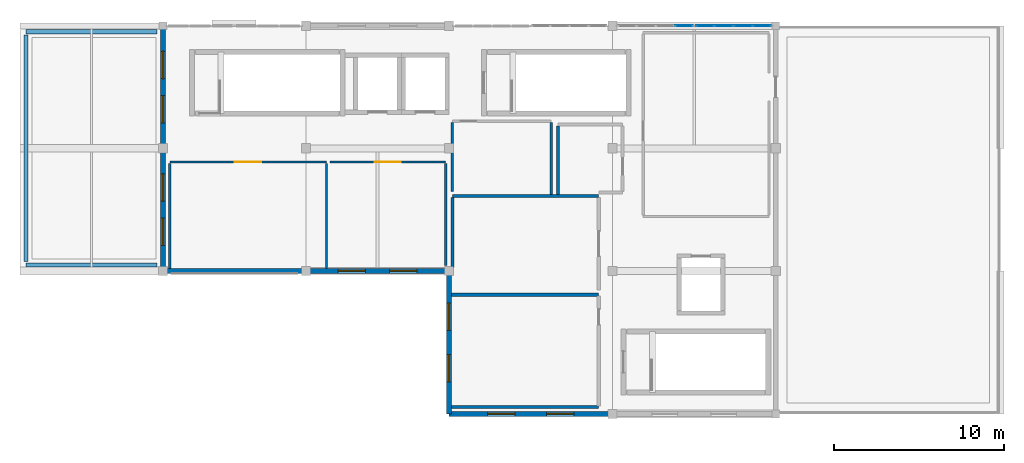
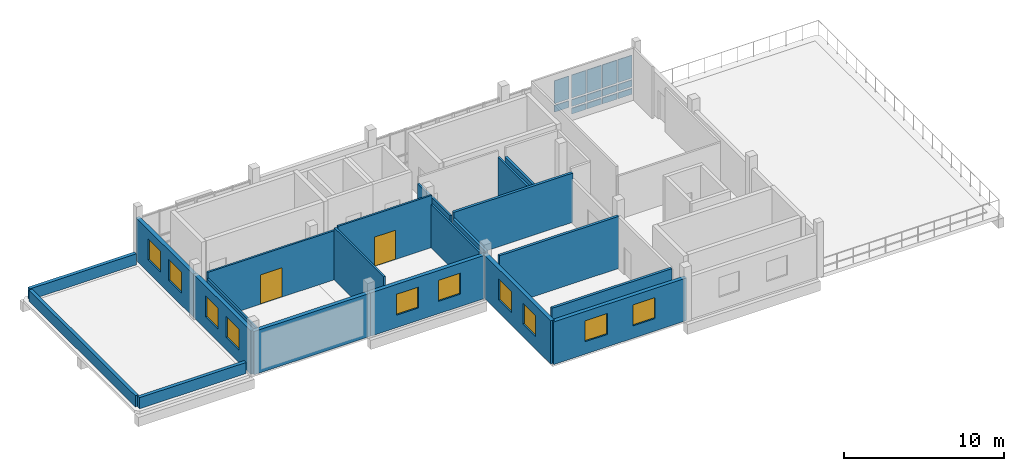
# One storey, part 8 of 11: 21 walls, 14 plates, 10 windows, 2 doors, 12 openings, 2 elements without a shape of their own.
"""IFC4 building model written with IfcOpenShell, lengths in metres."""

from ifc_helpers import new_model, si_unit, direction, frame, frame_2d, origin, origin_2d, place, context, subcontext, project, spatial, rectangle, extrude, material, layer, layer_set, type_object, element, fill, aggregate, save


model = new_model("IFC4")

# Units and contexts
model_context = context("Model", 3, precision=1e-05, world=origin(), true_north=direction((0.0, 1.0)))
body_context = subcontext(model_context, "Body", "Model", "MODEL_VIEW")
ifc_project = project(units=[si_unit("LENGTHUNIT", "METRE"), si_unit("AREAUNIT", "SQUARE_METRE"), si_unit("VOLUMEUNIT", "CUBIC_METRE"), si_unit("PLANEANGLEUNIT", "RADIAN"), si_unit("MASSUNIT", "GRAM", prefix="KILO")], contexts=[model_context])

# Site, building, storey
site_placement = place(None, origin())
site = spatial("IfcSite", under=ifc_project, at=site_placement, CompositionType="ELEMENT")
building_placement = place(site_placement, origin())
building = spatial("IfcBuilding", under=site, at=building_placement, Name="Kisaragi Civic Commons", CompositionType="ELEMENT")
storey_placement = place(building_placement, frame((0.0, 0.0, 17.39990234375)))
storey = spatial("IfcBuildingStorey", under=building, at=storey_placement, Name="L04", CompositionType="ELEMENT", Elevation=17.39990234375)

# Curtain wall, plates
ifc_material_1 = material(Name="Thermally broken anodized aluminium and low-E double glazing", Category="aluminium")
ifc_layer_1 = layer(ifc_material_1, 0.179931640625, Name="Thermally broken anodized aluminium and low-E double glazing", Category="aluminium")
ifc_layer_set_1 = layer_set([ifc_layer_1], Name="Thermally broken anodized aluminium and low-E double glazing")
curtain_wall_type = type_object("IfcCurtainWallType", Name="CW-01", PredefinedType="NOTDEFINED", material=ifc_layer_set_1)
curtain_wall_1_placement = place(storey_placement, origin())
curtain_wall_1 = element("IfcCurtainWall", 1, at=curtain_wall_1_placement, inside=storey, type_object=curtain_wall_type, Name="L04 curtain wall CW-01 CW-V4-L04-115", PredefinedType="NOTDEFINED")
ifc_layer_2 = layer(ifc_material_1, 0.050048828125, Name="Thermally broken anodized aluminium and low-E double glazing", Category="aluminium")
ifc_layer_set_2 = layer_set([ifc_layer_2], Name="Thermally broken anodized aluminium and low-E double glazing")
plate_type_1 = type_object("IfcPlateType", Name="CWP-14", PredefinedType="CURTAIN_PANEL", material=ifc_layer_set_2)
plate_1_placement = place(storey_placement, frame((127.806884765625, 118.800048828125, 0.72021484375), z_axis=(0.0, 0.0, 1.0), x_axis=(1.0, 0.0, 0.0)))
plate_1 = element("IfcPlate", 2, at=plate_1_placement, type_object=plate_type_1, Name="CW-01 panel 4.2", PredefinedType="CURTAIN_PANEL", context=body_context, shape_type="SweptSolid", body=[
    extrude(rectangle(XDim=1.0263671875, YDim=0.050048828125, at=origin_2d()), origin(), (0.0, 0.0, 1.0), 0.510009765625),
])
plate_2_placement = place(storey_placement, frame((127.806884765625, 118.800048828125, 1.3701171875), z_axis=(0.0, 0.0, 1.0), x_axis=(1.0, 0.0, 0.0)))
plate_2 = element("IfcPlate", 3, at=plate_2_placement, type_object=plate_type_1, Name="CW-01 panel 4.3", PredefinedType="CURTAIN_PANEL", context=body_context, shape_type="SweptSolid", body=[
    extrude(rectangle(XDim=1.0263671875, YDim=0.050048828125, at=origin_2d()), origin(), (0.0, 0.0, 1.0), 1.7451171875),
])
aggregate(curtain_wall_1, [plate_1, plate_2])

curtain_wall_2_placement = place(storey_placement, origin())
curtain_wall_2 = element("IfcCurtainWall", 4, at=curtain_wall_2_placement, inside=storey, type_object=curtain_wall_type, Name="L04 curtain wall CW-01 CW-V4-L04-116", PredefinedType="NOTDEFINED")
ifc_layer_3 = layer(ifc_material_1, 0.053955078125, Name="Thermally broken anodized aluminium and low-E double glazing", Category="aluminium")
ifc_layer_set_3 = layer_set([ifc_layer_3], Name="Thermally broken anodized aluminium and low-E double glazing")
plate_type_2 = type_object("IfcPlateType", Name="CWP-15", PredefinedType="CURTAIN_PANEL", material=ifc_layer_set_3)
plate_3_placement = place(storey_placement, frame((129.043212890625, 118.800048828125, 0.14013671875), z_axis=(0.0, 0.0, 1.0), x_axis=(1.0, 0.0, 0.0)))
plate_3 = element("IfcPlate", 5, at=plate_3_placement, type_object=plate_type_2, Name="CW-01 panel 1.1", PredefinedType="CURTAIN_PANEL", context=body_context, shape_type="SweptSolid", body=[
    extrude(rectangle(XDim=1.0263671875, YDim=0.053955078125, at=origin_2d()), origin(), (0.0, 0.0, 1.0), 0.43994140625),
])
plate_4_placement = place(storey_placement, frame((129.043212890625, 118.800048828125, 0.72021484375), z_axis=(0.0, 0.0, 1.0), x_axis=(1.0, 0.0, 0.0)))
plate_4 = element("IfcPlate", 6, at=plate_4_placement, type_object=plate_type_2, Name="CW-01 panel 1.2", PredefinedType="CURTAIN_PANEL", context=body_context, shape_type="SweptSolid", body=[
    extrude(rectangle(XDim=1.0263671875, YDim=0.053955078125, at=origin_2d()), origin(), (0.0, 0.0, 1.0), 0.510009765625),
])
plate_5_placement = place(storey_placement, frame((129.043212890625, 118.800048828125, 1.3701171875), z_axis=(0.0, 0.0, 1.0), x_axis=(1.0, 0.0, 0.0)))
plate_5 = element("IfcPlate", 7, at=plate_5_placement, type_object=plate_type_2, Name="CW-01 panel 1.3", PredefinedType="CURTAIN_PANEL", context=body_context, shape_type="SweptSolid", body=[
    extrude(rectangle(XDim=1.0263671875, YDim=0.053955078125, at=origin_2d()), origin(), (0.0, 0.0, 1.0), 1.7451171875),
])
plate_6_placement = place(storey_placement, frame((130.150634765625, 118.800048828125, 0.14013671875), z_axis=(0.0, 0.0, 1.0), x_axis=(1.0, 0.0, 0.0)))
plate_6 = element("IfcPlate", 8, at=plate_6_placement, type_object=plate_type_2, Name="CW-01 panel 2.1", PredefinedType="CURTAIN_PANEL", context=body_context, shape_type="SweptSolid", body=[
    extrude(rectangle(XDim=1.058837890625, YDim=0.053955078125, at=origin_2d()), origin(), (0.0, 0.0, 1.0), 0.43994140625),
])
plate_7_placement = place(storey_placement, frame((130.150634765625, 118.800048828125, 0.72021484375), z_axis=(0.0, 0.0, 1.0), x_axis=(1.0, 0.0, 0.0)))
plate_7 = element("IfcPlate", 9, at=plate_7_placement, type_object=plate_type_2, Name="CW-01 panel 2.2", PredefinedType="CURTAIN_PANEL", context=body_context, shape_type="SweptSolid", body=[
    extrude(rectangle(XDim=1.058837890625, YDim=0.053955078125, at=origin_2d()), origin(), (0.0, 0.0, 1.0), 0.510009765625),
])
plate_8_placement = place(storey_placement, frame((130.150634765625, 118.800048828125, 1.3701171875), z_axis=(0.0, 0.0, 1.0), x_axis=(1.0, 0.0, 0.0)))
plate_8 = element("IfcPlate", 10, at=plate_8_placement, type_object=plate_type_2, Name="CW-01 panel 2.3", PredefinedType="CURTAIN_PANEL", context=body_context, shape_type="SweptSolid", body=[
    extrude(rectangle(XDim=1.058837890625, YDim=0.053955078125, at=origin_2d()), origin(), (0.0, 0.0, 1.0), 1.7451171875),
])
plate_9_placement = place(storey_placement, frame((131.2744140625, 118.800048828125, 0.14013671875), z_axis=(0.0, 0.0, 1.0), x_axis=(1.0, 0.0, 0.0)))
plate_9 = element("IfcPlate", 11, at=plate_9_placement, type_object=plate_type_2, Name="CW-01 panel 3.1", PredefinedType="CURTAIN_PANEL", context=body_context, shape_type="SweptSolid", body=[
    extrude(rectangle(XDim=1.058837890625, YDim=0.053955078125, at=origin_2d()), origin(), (0.0, 0.0, 1.0), 0.43994140625),
])
plate_10_placement = place(storey_placement, frame((131.2744140625, 118.800048828125, 0.72021484375), z_axis=(0.0, 0.0, 1.0), x_axis=(1.0, 0.0, 0.0)))
plate_10 = element("IfcPlate", 12, at=plate_10_placement, type_object=plate_type_2, Name="CW-01 panel 3.2", PredefinedType="CURTAIN_PANEL", context=body_context, shape_type="SweptSolid", body=[
    extrude(rectangle(XDim=1.058837890625, YDim=0.053955078125, at=origin_2d()), origin(), (0.0, 0.0, 1.0), 0.510009765625),
])
plate_11_placement = place(storey_placement, frame((131.2744140625, 118.800048828125, 1.3701171875), z_axis=(0.0, 0.0, 1.0), x_axis=(1.0, 0.0, 0.0)))
plate_11 = element("IfcPlate", 13, at=plate_11_placement, type_object=plate_type_2, Name="CW-01 panel 3.3", PredefinedType="CURTAIN_PANEL", context=body_context, shape_type="SweptSolid", body=[
    extrude(rectangle(XDim=1.058837890625, YDim=0.053955078125, at=origin_2d()), origin(), (0.0, 0.0, 1.0), 1.7451171875),
])
plate_12_placement = place(storey_placement, frame((132.3818359375, 118.800048828125, 0.14013671875), z_axis=(0.0, 0.0, 1.0), x_axis=(1.0, 0.0, 0.0)))
plate_12 = element("IfcPlate", 14, at=plate_12_placement, type_object=plate_type_2, Name="CW-01 panel 4.1", PredefinedType="CURTAIN_PANEL", context=body_context, shape_type="SweptSolid", body=[
    extrude(rectangle(XDim=1.0263671875, YDim=0.053955078125, at=origin_2d()), origin(), (0.0, 0.0, 1.0), 0.43994140625),
])
plate_13_placement = place(storey_placement, frame((132.3818359375, 118.800048828125, 0.72021484375), z_axis=(0.0, 0.0, 1.0), x_axis=(1.0, 0.0, 0.0)))
plate_13 = element("IfcPlate", 15, at=plate_13_placement, type_object=plate_type_2, Name="CW-01 panel 4.2", PredefinedType="CURTAIN_PANEL", context=body_context, shape_type="SweptSolid", body=[
    extrude(rectangle(XDim=1.0263671875, YDim=0.053955078125, at=origin_2d()), origin(), (0.0, 0.0, 1.0), 0.510009765625),
])
plate_14_placement = place(storey_placement, frame((132.3818359375, 118.800048828125, 1.3701171875), z_axis=(0.0, 0.0, 1.0), x_axis=(1.0, 0.0, 0.0)))
plate_14 = element("IfcPlate", 16, at=plate_14_placement, type_object=plate_type_2, Name="CW-01 panel 4.3", PredefinedType="CURTAIN_PANEL", context=body_context, shape_type="SweptSolid", body=[
    extrude(rectangle(XDim=1.0263671875, YDim=0.053955078125, at=origin_2d()), origin(), (0.0, 0.0, 1.0), 1.7451171875),
])
aggregate(curtain_wall_2, [plate_3, plate_4, plate_5, plate_6, plate_7, plate_8, plate_9, plate_10, plate_11, plate_12, plate_13, plate_14])

# Wall, openings, windows
ifc_material_2 = material(Name="Insulated Tokoname terracotta cavity wall", Category="masonry")
ifc_layer_4 = layer(ifc_material_2, 0.278076171875, Name="Insulated Tokoname terracotta cavity wall", Category="masonry")
ifc_layer_set_4 = layer_set([ifc_layer_4], Name="Insulated Tokoname terracotta cavity wall")
wall_type_1 = type_object("IfcWallType", Name="EW-07", PredefinedType="STANDARD", material=ifc_layer_set_4)
wall_1_placement = place(storey_placement, frame((123.60009765625, 96.0, 0.0), z_axis=(0.0, 0.0, 1.0), x_axis=(-1.0, 0.0, 0.0)))
wall_1 = element("IfcWall", 17, at=wall_1_placement, inside=storey, type_object=wall_type_1, Name="V4 L04 exterior terracotta wall EW-07 389", PredefinedType="STANDARD", context=body_context, shape_type="SweptSolid", body=[
    extrude(rectangle(XDim=9.60009765625, YDim=0.278076171875, at=frame_2d((4.800048828125, 0.0))), origin(), (0.0, 0.0, 1.0), 3.255126953125),
])
opening_1_placement = place(wall_1_placement, frame((2.27197265625, 0.0, 0.949951171875)))
opening_1 = element("IfcOpeningElement", 18, at=opening_1_placement, cuts=wall_1, Name="Opening W-12", PredefinedType="OPENING", context=body_context, shape_type="SweptSolid", body=[
    extrude(rectangle(XDim=1.60009765625, YDim=1.60009765625, at=frame_2d((0.800048828125, 0.800048828125))), frame((0.0, 0.14892578125, 0.0), z_axis=(0.0, -1.0, 0.0), x_axis=(1.0, 0.0, 0.0)), (0.0, 0.0, 1.0), 0.298095703125),
])
opening_2_placement = place(wall_1_placement, frame((5.72802734375, 0.0, 0.949951171875)))
opening_2 = element("IfcOpeningElement", 19, at=opening_2_placement, cuts=wall_1, Name="Opening W-12", PredefinedType="OPENING", context=body_context, shape_type="SweptSolid", body=[
    extrude(rectangle(XDim=1.60009765625, YDim=1.60009765625, at=frame_2d((0.800048828125, 0.800048828125))), frame((0.0, 0.14892578125, 0.0), z_axis=(0.0, -1.0, 0.0), x_axis=(1.0, 0.0, 0.0)), (0.0, 0.0, 1.0), 0.298095703125),
])
ifc_material_3 = material(Name="Thermally broken aluminium frame and low-E argon double glazing", Category="aluminium")
window_type = type_object("IfcWindowType", Name="W-12", PartitioningType="SINGLE_PANEL", PredefinedType="WINDOW", material=ifc_material_3)
window_1_placement = place(opening_1_placement, origin())
window_1 = element("IfcWindow", 20, at=window_1_placement, inside=storey, type_object=window_type, Name="V4 L04 window W-12 131", OverallHeight=1.60009765625, OverallWidth=1.60009765625, PartitioningType="SINGLE_PANEL", PredefinedType="WINDOW", context=body_context, shape_type="SweptSolid", body=[
    extrude(rectangle(XDim=1.60009765625, YDim=1.60009765625, at=frame_2d((0.800048828125, 0.800048828125))), frame((0.0, 0.030029296875, 0.0), z_axis=(0.0, -1.0, 0.0), x_axis=(1.0, 0.0, 0.0)), (0.0, 0.0, 1.0), 0.06005859375),
])
fill(opening_1, window_1)
window_2_placement = place(opening_2_placement, origin())
window_2 = element("IfcWindow", 21, at=window_2_placement, inside=storey, type_object=window_type, Name="V4 L04 window W-12 132", OverallHeight=1.60009765625, OverallWidth=1.60009765625, PartitioningType="SINGLE_PANEL", PredefinedType="WINDOW", context=body_context, shape_type="SweptSolid", body=[
    extrude(rectangle(XDim=1.60009765625, YDim=1.60009765625, at=frame_2d((0.800048828125, 0.800048828125))), frame((0.0, 0.030029296875, 0.0), z_axis=(0.0, -1.0, 0.0), x_axis=(1.0, 0.0, 0.0)), (0.0, 0.0, 1.0), 0.06005859375),
])
fill(opening_2, window_2)

wall_2_placement = place(storey_placement, frame((114.0, 96.0, 0.0), z_axis=(0.0, 0.0, 1.0), x_axis=(0.0, 1.0, 0.0)))
wall_2 = element("IfcWall", 22, at=wall_2_placement, inside=storey, type_object=wall_type_1, Name="V4 L04 exterior terracotta wall EW-07 390", PredefinedType="STANDARD", context=body_context, shape_type="SweptSolid", body=[
    extrude(rectangle(XDim=8.39990234375, YDim=0.278076171875, at=frame_2d((4.199951171875, 0.0))), origin(), (0.0, 0.0, 1.0), 3.30517578125),
])
opening_3_placement = place(wall_2_placement, frame((1.887939453125, 0.0, 0.949951171875)))
opening_3 = element("IfcOpeningElement", 23, at=opening_3_placement, cuts=wall_2, Name="Opening W-12", PredefinedType="OPENING", context=body_context, shape_type="SweptSolid", body=[
    extrude(rectangle(XDim=1.60009765625, YDim=1.60009765625, at=frame_2d((0.800048828125, 0.800048828125))), frame((0.0, 0.14892578125, 0.0), z_axis=(0.0, -1.0, 0.0), x_axis=(1.0, 0.0, 0.0)), (0.0, 0.0, 1.0), 0.298095703125),
])
opening_4_placement = place(wall_2_placement, frame((4.912109375, 0.0, 0.949951171875)))
opening_4 = element("IfcOpeningElement", 24, at=opening_4_placement, cuts=wall_2, Name="Opening W-12", PredefinedType="OPENING", context=body_context, shape_type="SweptSolid", body=[
    extrude(rectangle(XDim=1.60009765625, YDim=1.60009765625, at=frame_2d((0.800048828125, 0.800048828125))), frame((0.0, 0.14892578125, 0.0), z_axis=(0.0, -1.0, 0.0), x_axis=(1.0, 0.0, 0.0)), (0.0, 0.0, 1.0), 0.298095703125),
])
window_3_placement = place(opening_3_placement, origin())
window_3 = element("IfcWindow", 25, at=window_3_placement, inside=storey, type_object=window_type, Name="V4 L04 window W-12 133", OverallHeight=1.60009765625, OverallWidth=1.60009765625, PartitioningType="SINGLE_PANEL", PredefinedType="WINDOW", context=body_context, shape_type="SweptSolid", body=[
    extrude(rectangle(XDim=1.60009765625, YDim=1.60009765625, at=frame_2d((0.800048828125, 0.800048828125))), frame((0.0, 0.030029296875, 0.0), z_axis=(0.0, -1.0, 0.0), x_axis=(1.0, 0.0, 0.0)), (0.0, 0.0, 1.0), 0.06005859375),
])
fill(opening_3, window_3)
window_4_placement = place(opening_4_placement, origin())
window_4 = element("IfcWindow", 26, at=window_4_placement, inside=storey, type_object=window_type, Name="V4 L04 window W-12 134", OverallHeight=1.60009765625, OverallWidth=1.60009765625, PartitioningType="SINGLE_PANEL", PredefinedType="WINDOW", context=body_context, shape_type="SweptSolid", body=[
    extrude(rectangle(XDim=1.60009765625, YDim=1.60009765625, at=frame_2d((0.800048828125, 0.800048828125))), frame((0.0, 0.030029296875, 0.0), z_axis=(0.0, -1.0, 0.0), x_axis=(1.0, 0.0, 0.0)), (0.0, 0.0, 1.0), 0.06005859375),
])
fill(opening_4, window_4)

wall_3_placement = place(storey_placement, frame((114.0, 104.39990234375, 0.0), z_axis=(0.0, 0.0, 1.0), x_axis=(-1.0, 0.0, 0.0)))
wall_3 = element("IfcWall", 27, at=wall_3_placement, inside=storey, type_object=wall_type_1, Name="V4 L04 exterior terracotta wall EW-07 391", PredefinedType="STANDARD", context=body_context, shape_type="SweptSolid", body=[
    extrude(rectangle(XDim=8.39990234375, YDim=0.278076171875, at=frame_2d((4.199951171875, 0.0))), origin(), (0.0, 0.0, 1.0), 3.30517578125),
])
opening_5_placement = place(wall_3_placement, frame((1.887939453125, 0.0, 0.949951171875)))
opening_5 = element("IfcOpeningElement", 28, at=opening_5_placement, cuts=wall_3, Name="Opening W-12", PredefinedType="OPENING", context=body_context, shape_type="SweptSolid", body=[
    extrude(rectangle(XDim=1.60009765625, YDim=1.60009765625, at=frame_2d((0.800048828125, 0.800048828125))), frame((0.0, 0.14892578125, 0.0), z_axis=(0.0, -1.0, 0.0), x_axis=(1.0, 0.0, 0.0)), (0.0, 0.0, 1.0), 0.298095703125),
])
opening_6_placement = place(wall_3_placement, frame((4.912109375, 0.0, 0.949951171875)))
opening_6 = element("IfcOpeningElement", 29, at=opening_6_placement, cuts=wall_3, Name="Opening W-12", PredefinedType="OPENING", context=body_context, shape_type="SweptSolid", body=[
    extrude(rectangle(XDim=1.60009765625, YDim=1.60009765625, at=frame_2d((0.800048828125, 0.800048828125))), frame((0.0, 0.14892578125, 0.0), z_axis=(0.0, -1.0, 0.0), x_axis=(1.0, 0.0, 0.0)), (0.0, 0.0, 1.0), 0.298095703125),
])
window_5_placement = place(opening_5_placement, origin())
window_5 = element("IfcWindow", 30, at=window_5_placement, inside=storey, type_object=window_type, Name="V4 L04 window W-12 135", OverallHeight=1.60009765625, OverallWidth=1.60009765625, PartitioningType="SINGLE_PANEL", PredefinedType="WINDOW", context=body_context, shape_type="SweptSolid", body=[
    extrude(rectangle(XDim=1.60009765625, YDim=1.60009765625, at=frame_2d((0.800048828125, 0.800048828125))), frame((0.0, 0.030029296875, 0.0), z_axis=(0.0, -1.0, 0.0), x_axis=(1.0, 0.0, 0.0)), (0.0, 0.0, 1.0), 0.06005859375),
])
fill(opening_5, window_5)
window_6_placement = place(opening_6_placement, origin())
window_6 = element("IfcWindow", 31, at=window_6_placement, inside=storey, type_object=window_type, Name="V4 L04 window W-12 136", OverallHeight=1.60009765625, OverallWidth=1.60009765625, PartitioningType="SINGLE_PANEL", PredefinedType="WINDOW", context=body_context, shape_type="SweptSolid", body=[
    extrude(rectangle(XDim=1.60009765625, YDim=1.60009765625, at=frame_2d((0.800048828125, 0.800048828125))), frame((0.0, 0.030029296875, 0.0), z_axis=(0.0, -1.0, 0.0), x_axis=(1.0, 0.0, 0.0)), (0.0, 0.0, 1.0), 0.06005859375),
])
fill(opening_6, window_6)

# Wall
wall_4_placement = place(storey_placement, frame((105.60009765625, 104.39990234375, 0.0), z_axis=(0.0, 0.0, 1.0), x_axis=(-1.0, 0.0, 0.0)))
element("IfcWall", 32, at=wall_4_placement, inside=storey, type_object=wall_type_1, Name="V4 L04 exterior terracotta wall EW-07 392", PredefinedType="STANDARD", context=body_context, shape_type="SweptSolid", body=[
    extrude(rectangle(XDim=8.400146484375, YDim=0.278076171875, at=frame_2d((4.2001953125, 0.0))), origin(), (0.0, 0.0, 1.0), 3.30517578125),
])

# Wall, openings, windows
wall_5_placement = place(storey_placement, frame((97.199951171875, 104.39990234375, 0.0), z_axis=(0.0, 0.0, 1.0), x_axis=(0.0, 1.0, 0.0)))
wall_5 = element("IfcWall", 33, at=wall_5_placement, inside=storey, type_object=wall_type_1, Name="V4 L04 exterior terracotta wall EW-07 393", PredefinedType="STANDARD", context=body_context, shape_type="SweptSolid", body=[
    extrude(rectangle(XDim=7.2001953125, YDim=0.278076171875, at=frame_2d((3.60009765625, 0.0))), origin(), (0.0, 0.0, 1.0), 3.30517578125),
])
opening_7_placement = place(wall_5_placement, frame((1.50390625, 0.0, 0.949951171875)))
opening_7 = element("IfcOpeningElement", 34, at=opening_7_placement, cuts=wall_5, Name="Opening W-12", PredefinedType="OPENING", context=body_context, shape_type="SweptSolid", body=[
    extrude(rectangle(XDim=1.60009765625, YDim=1.60009765625, at=frame_2d((0.800048828125, 0.800048828125))), frame((0.0, 0.14892578125, 0.0), z_axis=(0.0, -1.0, 0.0), x_axis=(1.0, 0.0, 0.0)), (0.0, 0.0, 1.0), 0.298095703125),
])
opening_8_placement = place(wall_5_placement, frame((4.095947265625, 0.0, 0.949951171875)))
opening_8 = element("IfcOpeningElement", 35, at=opening_8_placement, cuts=wall_5, Name="Opening W-12", PredefinedType="OPENING", context=body_context, shape_type="SweptSolid", body=[
    extrude(rectangle(XDim=1.60009765625, YDim=1.60009765625, at=frame_2d((0.800048828125, 0.800048828125))), frame((0.0, 0.14892578125, 0.0), z_axis=(0.0, -1.0, 0.0), x_axis=(1.0, 0.0, 0.0)), (0.0, 0.0, 1.0), 0.298095703125),
])
window_7_placement = place(opening_7_placement, origin())
window_7 = element("IfcWindow", 36, at=window_7_placement, inside=storey, type_object=window_type, Name="V4 L04 window W-12 137", OverallHeight=1.60009765625, OverallWidth=1.60009765625, PartitioningType="SINGLE_PANEL", PredefinedType="WINDOW", context=body_context, shape_type="SweptSolid", body=[
    extrude(rectangle(XDim=1.60009765625, YDim=1.60009765625, at=frame_2d((0.800048828125, 0.800048828125))), frame((0.0, 0.030029296875, 0.0), z_axis=(0.0, -1.0, 0.0), x_axis=(1.0, 0.0, 0.0)), (0.0, 0.0, 1.0), 0.06005859375),
])
fill(opening_7, window_7)
window_8_placement = place(opening_8_placement, origin())
window_8 = element("IfcWindow", 37, at=window_8_placement, inside=storey, type_object=window_type, Name="V4 L04 window W-12 138", OverallHeight=1.60009765625, OverallWidth=1.60009765625, PartitioningType="SINGLE_PANEL", PredefinedType="WINDOW", context=body_context, shape_type="SweptSolid", body=[
    extrude(rectangle(XDim=1.60009765625, YDim=1.60009765625, at=frame_2d((0.800048828125, 0.800048828125))), frame((0.0, 0.030029296875, 0.0), z_axis=(0.0, -1.0, 0.0), x_axis=(1.0, 0.0, 0.0)), (0.0, 0.0, 1.0), 0.06005859375),
])
fill(opening_8, window_8)

wall_6_placement = place(storey_placement, frame((97.199951171875, 111.60009765625, 0.0), z_axis=(0.0, 0.0, 1.0), x_axis=(0.0, 1.0, 0.0)))
wall_6 = element("IfcWall", 38, at=wall_6_placement, inside=storey, type_object=wall_type_1, Name="V4 L04 exterior terracotta wall EW-07 394", PredefinedType="STANDARD", context=body_context, shape_type="SweptSolid", body=[
    extrude(rectangle(XDim=7.199951171875, YDim=0.278076171875, at=frame_2d((3.60009765625, 0.0))), origin(), (0.0, 0.0, 1.0), 3.255126953125),
])
opening_9_placement = place(wall_6_placement, frame((1.50390625, 0.0, 0.949951171875)))
opening_9 = element("IfcOpeningElement", 39, at=opening_9_placement, cuts=wall_6, Name="Opening W-12", PredefinedType="OPENING", context=body_context, shape_type="SweptSolid", body=[
    extrude(rectangle(XDim=1.60009765625, YDim=1.60009765625, at=frame_2d((0.800048828125, 0.800048828125))), frame((0.0, 0.14892578125, 0.0), z_axis=(0.0, -1.0, 0.0), x_axis=(1.0, 0.0, 0.0)), (0.0, 0.0, 1.0), 0.298095703125),
])
opening_10_placement = place(wall_6_placement, frame((4.095947265625, 0.0, 0.949951171875)))
opening_10 = element("IfcOpeningElement", 40, at=opening_10_placement, cuts=wall_6, Name="Opening W-12", PredefinedType="OPENING", context=body_context, shape_type="SweptSolid", body=[
    extrude(rectangle(XDim=1.60009765625, YDim=1.60009765625, at=frame_2d((0.800048828125, 0.800048828125))), frame((0.0, 0.14892578125, 0.0), z_axis=(0.0, -1.0, 0.0), x_axis=(1.0, 0.0, 0.0)), (0.0, 0.0, 1.0), 0.298095703125),
])
window_9_placement = place(opening_9_placement, origin())
window_9 = element("IfcWindow", 41, at=window_9_placement, inside=storey, type_object=window_type, Name="V4 L04 window W-12 139", OverallHeight=1.60009765625, OverallWidth=1.60009765625, PartitioningType="SINGLE_PANEL", PredefinedType="WINDOW", context=body_context, shape_type="SweptSolid", body=[
    extrude(rectangle(XDim=1.60009765625, YDim=1.60009765625, at=frame_2d((0.800048828125, 0.800048828125))), frame((0.0, 0.030029296875, 0.0), z_axis=(0.0, -1.0, 0.0), x_axis=(1.0, 0.0, 0.0)), (0.0, 0.0, 1.0), 0.06005859375),
])
fill(opening_9, window_9)
window_10_placement = place(opening_10_placement, origin())
window_10 = element("IfcWindow", 42, at=window_10_placement, inside=storey, type_object=window_type, Name="V4 L04 window W-12 140", OverallHeight=1.60009765625, OverallWidth=1.60009765625, PartitioningType="SINGLE_PANEL", PredefinedType="WINDOW", context=body_context, shape_type="SweptSolid", body=[
    extrude(rectangle(XDim=1.60009765625, YDim=1.60009765625, at=frame_2d((0.800048828125, 0.800048828125))), frame((0.0, 0.030029296875, 0.0), z_axis=(0.0, -1.0, 0.0), x_axis=(1.0, 0.0, 0.0)), (0.0, 0.0, 1.0), 0.06005859375),
])
fill(opening_10, window_10)

# Walls
ifc_material_4 = material(Name="Acoustic gypsum board on light-gauge steel studs", Category="steel")
ifc_layer_5 = layer(ifc_material_4, 0.137939453125, Name="Acoustic gypsum board on light-gauge steel studs", Category="steel")
ifc_layer_set_5 = layer_set([ifc_layer_5], Name="Acoustic gypsum board on light-gauge steel studs")
wall_type_2 = type_object("IfcWallType", Name="IW-02", PredefinedType="STANDARD", material=ifc_layer_set_5)
wall_7_placement = place(storey_placement, frame((106.800048828125, 110.72509765625, 0.0), z_axis=(0.0, 0.0, 1.0), x_axis=(0.0, -1.0, 0.0)))
element("IfcWall", 43, at=wall_7_placement, inside=storey, type_object=wall_type_2, Name="L04 W4-02 partition IW-02 352", PredefinedType="STANDARD", context=body_context, shape_type="SweptSolid", body=[
    extrude(rectangle(XDim=6.177978515625, YDim=0.137939453125, at=frame_2d((3.0888671875, 0.0))), origin(), (0.0, 0.0, 1.0), 3.97998046875),
])
wall_8_placement = place(storey_placement, frame((97.60009765625, 104.547119140625, 0.0), z_axis=(0.0, 0.0, 1.0), x_axis=(0.0, 1.0, 0.0)))
element("IfcWall", 44, at=wall_8_placement, inside=storey, type_object=wall_type_2, Name="L04 W4-02 partition IW-02 353", PredefinedType="STANDARD", context=body_context, shape_type="SweptSolid", body=[
    extrude(rectangle(XDim=6.177978515625, YDim=0.137939453125, at=frame_2d((3.0888671875, 0.0))), origin(), (0.0, 0.0, 1.0), 3.30517578125),
])

# Wall, opening, door
wall_9_placement = place(storey_placement, frame((97.60498046875, 110.800048828125, 0.0), z_axis=(0.0, 0.0, 1.0), x_axis=(1.0, 0.0, 0.0)))
wall_9 = element("IfcWall", 45, at=wall_9_placement, inside=storey, type_object=wall_type_2, Name="L04 W4-02 partition IW-02 354", PredefinedType="STANDARD", context=body_context, shape_type="SweptSolid", body=[
    extrude(rectangle(XDim=9.18994140625, YDim=0.137939453125, at=frame_2d((4.594970703125, 0.0))), origin(), (0.0, 0.0, 1.0), 3.755126953125),
])
opening_11_placement = place(wall_9_placement, frame((3.820068359375, 0.0, 0.0)))
opening_11 = element("IfcOpeningElement", 46, at=opening_11_placement, cuts=wall_9, Name="Opening ID-14", PredefinedType="OPENING", context=body_context, shape_type="SweptSolid", body=[
    extrude(rectangle(XDim=1.550048828125, YDim=2.239990234375, at=frame_2d((0.77490234375, 1.1201171875))), frame((0.0, 0.078857421875, 0.0), z_axis=(0.0, -1.0, 0.0), x_axis=(1.0, 0.0, 0.0)), (0.0, 0.0, 1.0), 0.157958984375),
])
ifc_material_5 = material(Name="Solid-core Japanese ash acoustic flush timber leaf in steel frame", Category="steel")
door_type = type_object("IfcDoorType", Name="ID-14", OperationType="NOTDEFINED", PredefinedType="DOOR", material=ifc_material_5)
door_1_placement = place(opening_11_placement, origin())
door_1 = element("IfcDoor", 47, at=door_1_placement, inside=storey, type_object=door_type, Name="Community Meeting Room door ID-14", OperationType="DOUBLE_DOOR_SINGLE_SWING", OverallHeight=2.239990234375, OverallWidth=1.550048828125, PredefinedType="DOOR", context=body_context, shape_type="SweptSolid", body=[
    extrude(rectangle(XDim=1.550048828125, YDim=2.239990234375, at=frame_2d((0.77490234375, 1.1201171875))), frame((0.0, 0.02490234375, 0.0), z_axis=(0.0, -1.0, 0.0), x_axis=(1.0, 0.0, 0.0)), (0.0, 0.0, 1.0), 0.050048828125),
])
fill(opening_11, door_1)

wall_10_placement = place(storey_placement, frame((107.0048828125, 110.800048828125, 0.0), z_axis=(0.0, 0.0, 1.0), x_axis=(1.0, 0.0, 0.0)))
wall_10 = element("IfcWall", 48, at=wall_10_placement, inside=storey, type_object=wall_type_2, Name="L04 W4-03 partition IW-02 355", PredefinedType="STANDARD", context=body_context, shape_type="SweptSolid", body=[
    extrude(rectangle(XDim=6.7900390625, YDim=0.137939453125, at=frame_2d((3.39501953125, 0.0))), origin(), (0.0, 0.0, 1.0), 3.97998046875),
])
opening_12_placement = place(wall_10_placement, frame((2.6201171875, 0.0, 0.0)))
opening_12 = element("IfcOpeningElement", 49, at=opening_12_placement, cuts=wall_10, Name="Opening ID-14", PredefinedType="OPENING", context=body_context, shape_type="SweptSolid", body=[
    extrude(rectangle(XDim=1.550048828125, YDim=2.239990234375, at=frame_2d((0.77490234375, 1.1201171875))), frame((0.0, 0.078857421875, 0.0), z_axis=(0.0, -1.0, 0.0), x_axis=(1.0, 0.0, 0.0)), (0.0, 0.0, 1.0), 0.157958984375),
])
door_2_placement = place(opening_12_placement, origin())
door_2 = element("IfcDoor", 50, at=door_2_placement, inside=storey, type_object=door_type, Name="Community Workshop Room door ID-14", OperationType="DOUBLE_DOOR_SINGLE_SWING", OverallHeight=2.239990234375, OverallWidth=1.550048828125, PredefinedType="DOOR", context=body_context, shape_type="SweptSolid", body=[
    extrude(rectangle(XDim=1.550048828125, YDim=2.239990234375, at=frame_2d((0.77490234375, 1.1201171875))), frame((0.0, 0.02490234375, 0.0), z_axis=(0.0, -1.0, 0.0), x_axis=(1.0, 0.0, 0.0)), (0.0, 0.0, 1.0), 0.050048828125),
])
fill(opening_12, door_2)

# Walls
wall_11_placement = place(storey_placement, frame((113.800048828125, 110.72509765625, 0.0), z_axis=(0.0, 0.0, 1.0), x_axis=(0.0, -1.0, 0.0)))
element("IfcWall", 51, at=wall_11_placement, inside=storey, type_object=wall_type_2, Name="L04 W4-03 partition IW-02 356", PredefinedType="STANDARD", context=body_context, shape_type="SweptSolid", body=[
    extrude(rectangle(XDim=6.010009765625, YDim=0.137939453125, at=frame_2d((3.0048828125, 0.0))), origin(), (0.0, 0.0, 1.0), 3.30517578125),
])
wall_12_placement = place(storey_placement, frame((120.0, 113.125, 0.0), z_axis=(0.0, 0.0, 1.0), x_axis=(0.0, -1.0, 0.0)))
element("IfcWall", 52, at=wall_12_placement, inside=storey, type_object=wall_type_2, Name="L04 W4-07 partition IW-02 368", PredefinedType="STANDARD", context=body_context, shape_type="SweptSolid", body=[
    extrude(rectangle(XDim=4.22412109375, YDim=0.137939453125, at=frame_2d((2.112060546875, 0.0))), origin(), (0.0, 0.0, 1.0), 3.30517578125),
])
wall_13_placement = place(storey_placement, frame((114.199951171875, 109.074951171875, 0.0), z_axis=(0.0, 0.0, 1.0), x_axis=(0.0, 1.0, 0.0)))
element("IfcWall", 53, at=wall_13_placement, inside=storey, type_object=wall_type_2, Name="L04 W4-07 partition IW-02 369", PredefinedType="STANDARD", context=body_context, shape_type="SweptSolid", body=[
    extrude(rectangle(XDim=4.050048828125, YDim=0.137939453125, at=frame_2d((2.02490234375, 0.0))), origin(), (0.0, 0.0, 1.0), 3.30517578125),
])
ifc_material_6 = material(Name="Cementitious tile-backer board on galvanized steel studs", Category="steel")
ifc_layer_6 = layer(ifc_material_6, 0.16796875, Name="Cementitious tile-backer board on galvanized steel studs", Category="steel")
ifc_layer_set_6 = layer_set([ifc_layer_6], Name="Cementitious tile-backer board on galvanized steel studs")
wall_type_3 = type_object("IfcWallType", Name="IW-03", PredefinedType="STANDARD", material=ifc_layer_set_6)
wall_14_placement = place(storey_placement, frame((120.39990234375, 108.90087890625, 0.0), z_axis=(0.0, 0.0, 1.0), x_axis=(0.0, 1.0, 0.0)))
element("IfcWall", 54, at=wall_14_placement, inside=storey, type_object=wall_type_3, Name="L04 W4-10 partition IW-03 373", PredefinedType="STANDARD", context=body_context, shape_type="SweptSolid", body=[
    extrude(rectangle(XDim=4.024169921875, YDim=0.16796875, at=frame_2d((2.01220703125, 0.0))), origin(), (0.0, 0.0, 1.0), 3.30517578125),
])
ifc_material_7 = material(Name="Slatted Mikawa hinoki acoustic timber partition", Category="wood")
ifc_layer_7 = layer(ifc_material_7, 0.18603515625, Name="Slatted Mikawa hinoki acoustic timber partition", Category="wood")
ifc_layer_set_7 = layer_set([ifc_layer_7], Name="Slatted Mikawa hinoki acoustic timber partition")
wall_type_4 = type_object("IfcWallType", Name="IW-08", PredefinedType="STANDARD", material=ifc_layer_set_7)
for number, where, z_axis, x_axis, name in (
    (55, (114.14697265625, 103.0, 0.0), (0.0, 0.0, 1.0), (1.0, 0.0, 0.0), "L04 W4-04 partition IW-08 357"),
    (56, (122.794921875, 96.39990234375, 0.0), (0.0, 0.0, 1.0), (-1.0, 0.0, 0.0), "L04 W4-04 partition IW-08 359"),
):
    element("IfcWall", number, at=place(storey_placement, frame(where, z_axis=z_axis, x_axis=x_axis)), inside=storey, type_object=wall_type_4, Name=name, PredefinedType="STANDARD", context=body_context, shape_type="SweptSolid", body=[
        extrude(rectangle(XDim=8.64794921875, YDim=0.18603515625, at=frame_2d((4.323974609375, 0.0))), origin(), (0.0, 0.0, 1.0), 3.97998046875),
    ])
wall_15_placement = place(storey_placement, frame((114.199951171875, 104.607666015625, 0.0), z_axis=(0.0, 0.0, 1.0), x_axis=(0.0, 1.0, 0.0)))
element("IfcWall", 57, at=wall_15_placement, inside=storey, type_object=wall_type_4, Name="L04 W4-05 partition IW-08 360", PredefinedType="STANDARD", context=body_context, shape_type="SweptSolid", body=[
    extrude(rectangle(XDim=4.117431640625, YDim=0.18603515625, at=frame_2d((2.05859375, 0.0))), origin(), (0.0, 0.0, 1.0), 3.30517578125),
])
wall_16_placement = place(storey_placement, frame((114.205078125, 108.800048828125, 0.0), z_axis=(0.0, 0.0, 1.0), x_axis=(1.0, 0.0, 0.0)))
element("IfcWall", 58, at=wall_16_placement, inside=storey, type_object=wall_type_4, Name="L04 W4-05 partition IW-08 361", PredefinedType="STANDARD", context=body_context, shape_type="SweptSolid", body=[
    extrude(rectangle(XDim=8.58984375, YDim=0.18603515625, at=frame_2d((4.294921875, 0.0))), origin(), (0.0, 0.0, 1.0), 3.755126953125),
])
ifc_material_8 = material(Name="Concrete Fc30", Category="concrete")
ifc_layer_8 = layer(ifc_material_8, 0.239990234375, Name="Concrete Fc30", Category="concrete")
ifc_layer_set_8 = layer_set([ifc_layer_8], Name="Concrete Fc30")
wall_type_5 = type_object("IfcWallType", Name="PW-01", PredefinedType="PARAPET", material=ifc_layer_set_8)
wall_17_placement = place(storey_placement, frame((89.14990234375, 104.75, 0.0), z_axis=(0.0, 0.0, 1.0), x_axis=(1.0, 0.0, 0.0)))
element("IfcWall", 59, at=wall_17_placement, inside=storey, type_object=wall_type_5, Name="L04 setback parapet upstand wall 10", PredefinedType="PARAPET", context=body_context, shape_type="SweptSolid", body=[
    extrude(rectangle(XDim=7.7001953125, YDim=0.239990234375, at=frame_2d((3.85009765625, 0.0))), origin(), (0.0, 0.0, 1.0), 0.85009765625),
])
wall_18_placement = place(storey_placement, frame((89.14990234375, 104.949951171875, 0.0), z_axis=(0.0, 0.0, 1.0), x_axis=(0.0, 1.0, 0.0)))
element("IfcWall", 60, at=wall_18_placement, inside=storey, type_object=wall_type_5, Name="L04 setback parapet upstand wall 11", PredefinedType="PARAPET", context=body_context, shape_type="SweptSolid", body=[
    extrude(rectangle(XDim=13.300048828125, YDim=0.239990234375, at=frame_2d((6.64990234375, 0.0))), origin(), (0.0, 0.0, 1.0), 0.85009765625),
])
wall_19_placement = place(storey_placement, frame((89.14990234375, 118.449951171875, 0.0), z_axis=(0.0, 0.0, 1.0), x_axis=(1.0, 0.0, 0.0)))
element("IfcWall", 61, at=wall_19_placement, inside=storey, type_object=wall_type_5, Name="L04 setback parapet upstand wall 12", PredefinedType="PARAPET", context=body_context, shape_type="SweptSolid", body=[
    extrude(rectangle(XDim=7.7001953125, YDim=0.239990234375, at=frame_2d((3.85009765625, 0.0))), origin(), (0.0, 0.0, 1.0), 0.85009765625),
])

save(model, "model.ifc")
